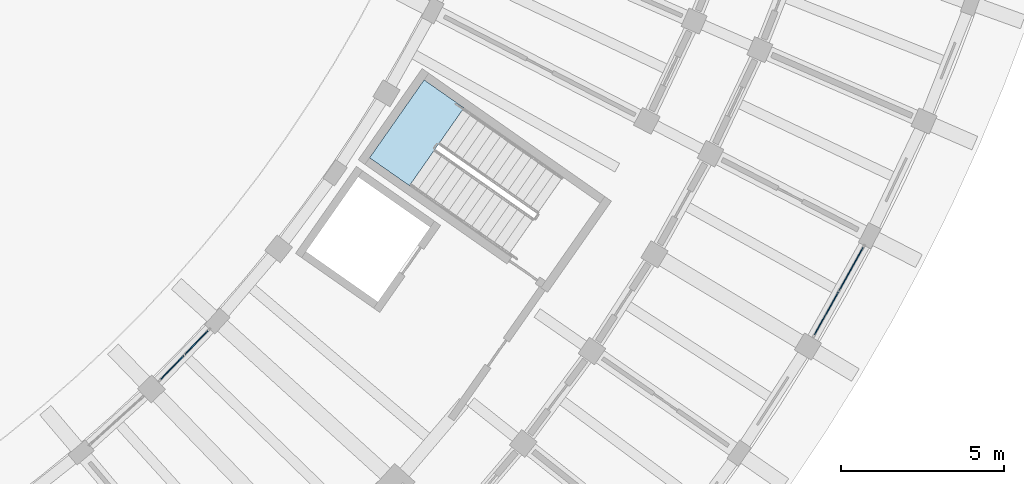
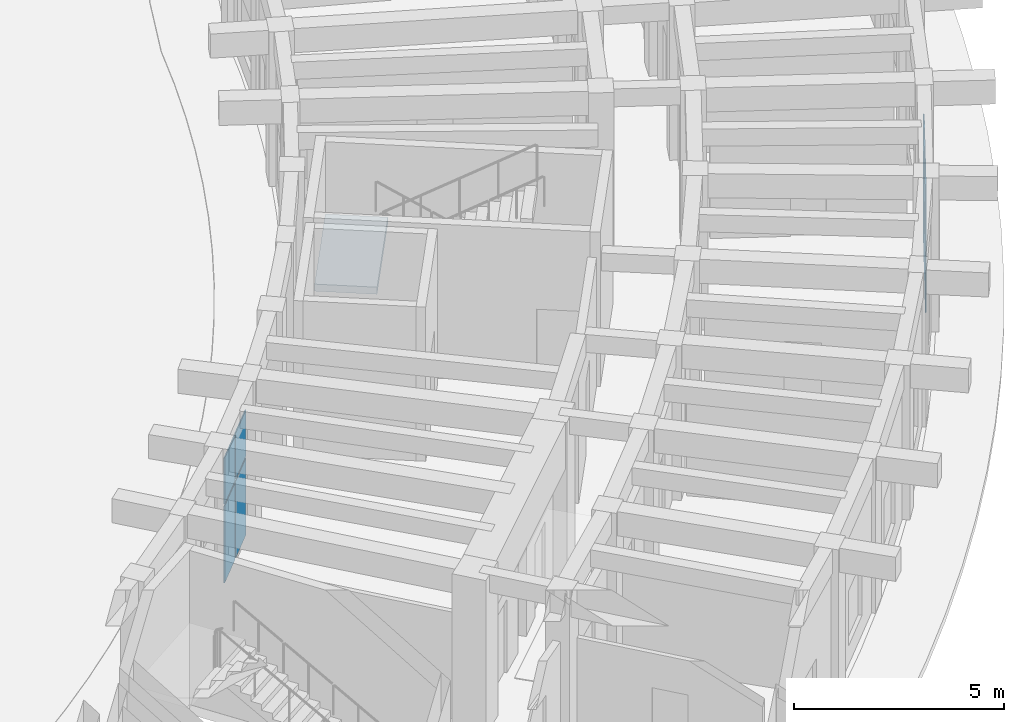
# One storey, part 82 of 132: 8 plates, 1 slab, 3 elements without a shape of their own.
"""IFC4 building model written with IfcOpenShell, lengths in metres."""

from ifc_helpers import new_model, si_unit, direction, frame, origin, origin_2d, place, context, subcontext, project, spatial, polyline, rectangle, outline, extrude, material, layer, layer_set, type_object, element, aggregate, save


model = new_model("IFC4")

# Units and contexts
model_context = context("Model", 3, precision=1e-05, world=origin(), true_north=direction((0.0, 1.0)))
body_context = subcontext(model_context, "Body", "Model", "MODEL_VIEW")
ifc_project = project(units=[si_unit("LENGTHUNIT", "METRE"), si_unit("AREAUNIT", "SQUARE_METRE"), si_unit("VOLUMEUNIT", "CUBIC_METRE"), si_unit("PLANEANGLEUNIT", "RADIAN"), si_unit("MASSUNIT", "GRAM", prefix="KILO")], contexts=[model_context])

# Site, building, storey
site_placement = place(None, origin())
site = spatial("IfcSite", under=ifc_project, at=site_placement, CompositionType="ELEMENT")
building_placement = place(site_placement, origin())
building = spatial("IfcBuilding", under=site, at=building_placement, Name="Tanwirah Colonnade Gardens", CompositionType="ELEMENT")
storey_placement = place(building_placement, origin())
storey = spatial("IfcBuildingStorey", under=building, at=storey_placement, Name="L00", CompositionType="ELEMENT", Elevation=0.0)

# Curtain wall, plates
ifc_material_1 = material(Name="Bronze-anodised aluminium and solar-control low-E glass", Category="aluminium")
curtain_wall_type_1 = type_object("IfcCurtainWallType", Name="CW-GDN", PredefinedType="NOTDEFINED", material=ifc_material_1)
curtain_wall_1_placement = place(storey_placement, origin())
curtain_wall_1 = element("IfcCurtainWall", 1, at=curtain_wall_1_placement, inside=storey, type_object=curtain_wall_type_1, Name="Curtain Wall CW-D-L00-IN-08", PredefinedType="NOTDEFINED")
ifc_material_2 = material(Name="Solar-control low-E double glazing", Category="glass")
ifc_layer_1 = layer(ifc_material_2, 0.028076171875)
ifc_layer_set_1 = layer_set([ifc_layer_1], Name="Solar-control low-E double glazing")
plate_type = type_object("IfcPlateType", Name="CWP-GLZ28", PredefinedType="CURTAIN_PANEL", material=ifc_layer_set_1)
plate_1_placement = place(storey_placement, frame((152.51953125, 33.187255859375, 0.06005859375), z_axis=(0.0, 0.0, 1.0), x_axis=(0.696223466127, 0.717825107678, 0.0)))
plate_1 = element("IfcPlate", 2, at=plate_1_placement, type_object=plate_type, Name="CW-GDN panel 1.1", PredefinedType="CURTAIN_PANEL", context=body_context, shape_type="SweptSolid", body=[
    extrude(rectangle(XDim=1.00439453125, YDim=0.028076171875, at=origin_2d()), origin(), (0.0, 0.0, 1.0), 2.238037109375),
])
plate_2_placement = place(storey_placement, frame((152.51953125, 33.187255859375, 2.358154296875), z_axis=(0.0, 0.0, 1.0), x_axis=(0.696223466127, 0.717825107678, 0.0)))
plate_2 = element("IfcPlate", 3, at=plate_2_placement, type_object=plate_type, Name="CW-GDN panel 1.2", PredefinedType="CURTAIN_PANEL", context=body_context, shape_type="SweptSolid", body=[
    extrude(rectangle(XDim=1.00439453125, YDim=0.028076171875, at=origin_2d()), origin(), (0.0, 0.0, 1.0), 1.3369140625),
])
plate_3_placement = place(storey_placement, frame((153.2607421875, 33.951416015625, 0.06005859375), z_axis=(0.0, 0.0, 1.0), x_axis=(0.696223466127, 0.717825107678, 0.0)))
plate_3 = element("IfcPlate", 4, at=plate_3_placement, type_object=plate_type, Name="CW-GDN panel 2.1", PredefinedType="CURTAIN_PANEL", context=body_context, shape_type="SweptSolid", body=[
    extrude(rectangle(XDim=1.00439453125, YDim=0.028076171875, at=origin_2d()), origin(), (0.0, 0.0, 1.0), 2.238037109375),
])
plate_4_placement = place(storey_placement, frame((153.2607421875, 33.951416015625, 2.358154296875), z_axis=(0.0, 0.0, 1.0), x_axis=(0.696223466127, 0.717825107678, 0.0)))
plate_4 = element("IfcPlate", 5, at=plate_4_placement, type_object=plate_type, Name="CW-GDN panel 2.2", PredefinedType="CURTAIN_PANEL", context=body_context, shape_type="SweptSolid", body=[
    extrude(rectangle(XDim=1.00439453125, YDim=0.028076171875, at=origin_2d()), origin(), (0.0, 0.0, 1.0), 1.3369140625),
])
aggregate(curtain_wall_1, [plate_1, plate_2, plate_3, plate_4])

curtain_wall_type_2 = type_object("IfcCurtainWallType", Name="CW-LOB", PredefinedType="NOTDEFINED", material=ifc_material_1)
curtain_wall_2_placement = place(storey_placement, origin())
curtain_wall_2 = element("IfcCurtainWall", 6, at=curtain_wall_2_placement, inside=storey, type_object=curtain_wall_type_2, Name="Curtain Wall CW-D-L00-OUT-12", PredefinedType="NOTDEFINED")
plate_5_placement = place(storey_placement, frame((172.61328125, 34.850830078125, 0.06005859375), z_axis=(0.0, 0.0, 1.0), x_axis=(0.486715095364, 0.873560768318, 0.0)))
plate_5 = element("IfcPlate", 7, at=plate_5_placement, type_object=plate_type, Name="CW-LOB panel 1.1", PredefinedType="CURTAIN_PANEL", context=body_context, shape_type="SweptSolid", body=[
    extrude(rectangle(XDim=1.49853515625, YDim=0.028076171875, at=origin_2d()), origin(), (0.0, 0.0, 1.0), 2.238037109375),
])
plate_6_placement = place(storey_placement, frame((172.61328125, 34.850830078125, 2.358154296875), z_axis=(0.0, 0.0, 1.0), x_axis=(0.486715095364, 0.873560768318, 0.0)))
plate_6 = element("IfcPlate", 8, at=plate_6_placement, type_object=plate_type, Name="CW-LOB panel 1.2", PredefinedType="CURTAIN_PANEL", context=body_context, shape_type="SweptSolid", body=[
    extrude(rectangle(XDim=1.49853515625, YDim=0.028076171875, at=origin_2d()), origin(), (0.0, 0.0, 1.0), 1.3369140625),
])
plate_7_placement = place(storey_placement, frame((173.371826171875, 36.212158203125, 0.06005859375), z_axis=(0.0, 0.0, 1.0), x_axis=(0.486715095364, 0.873560768318, 0.0)))
plate_7 = element("IfcPlate", 9, at=plate_7_placement, type_object=plate_type, Name="CW-LOB panel 2.1", PredefinedType="CURTAIN_PANEL", context=body_context, shape_type="SweptSolid", body=[
    extrude(rectangle(XDim=1.49853515625, YDim=0.028076171875, at=origin_2d()), origin(), (0.0, 0.0, 1.0), 2.238037109375),
])
plate_8_placement = place(storey_placement, frame((173.371826171875, 36.212158203125, 2.358154296875), z_axis=(0.0, 0.0, 1.0), x_axis=(0.486715095364, 0.873560768318, 0.0)))
plate_8 = element("IfcPlate", 10, at=plate_8_placement, type_object=plate_type, Name="CW-LOB panel 2.2", PredefinedType="CURTAIN_PANEL", context=body_context, shape_type="SweptSolid", body=[
    extrude(rectangle(XDim=1.49853515625, YDim=0.028076171875, at=origin_2d()), origin(), (0.0, 0.0, 1.0), 1.3369140625),
])
aggregate(curtain_wall_2, [plate_5, plate_6, plate_7, plate_8])

# Stair, slab
ifc_material_3 = material(Name="Precast concrete C40/50", Category="concrete")
stair_type = type_object("IfcStairType", Name="ST-RES170", PredefinedType="HALF_TURN_STAIR", material=ifc_material_3)
stair_placement = place(storey_placement, origin())
stair = element("IfcStair", 11, at=stair_placement, inside=storey, type_object=stair_type, Name="L00 Block D Core 2 Exit Stair", PredefinedType="HALF_TURN_STAIR")
ifc_layer_2 = layer(ifc_material_3, 0.205078125)
ifc_layer_set_2 = layer_set([ifc_layer_2], Name="Precast concrete C40/50")
slab_type = type_object("IfcSlabType", Name="SL-LND-205", PredefinedType="LANDING", material=ifc_layer_set_2)
slab_placement = place(storey_placement, frame((0.0, 0.0, 2.175048828125)))
slab = element("IfcSlab", 12, at=slab_placement, type_object=slab_type, Name="ST-D2 landing 1", PredefinedType="LANDING", context=body_context, shape_type="SweptSolid", body=[
    extrude(outline(polyline([(161.47900390625, 41.161376953125), (160.25439453125, 42.018798828125), (158.57958984375, 39.626953125), (159.80419921875, 38.76953125), (161.47900390625, 41.161376953125)])), origin(), (0.0, 0.0, 1.0), 0.204833984375),
])
aggregate(stair, [slab])

save(model, "model.ifc")
